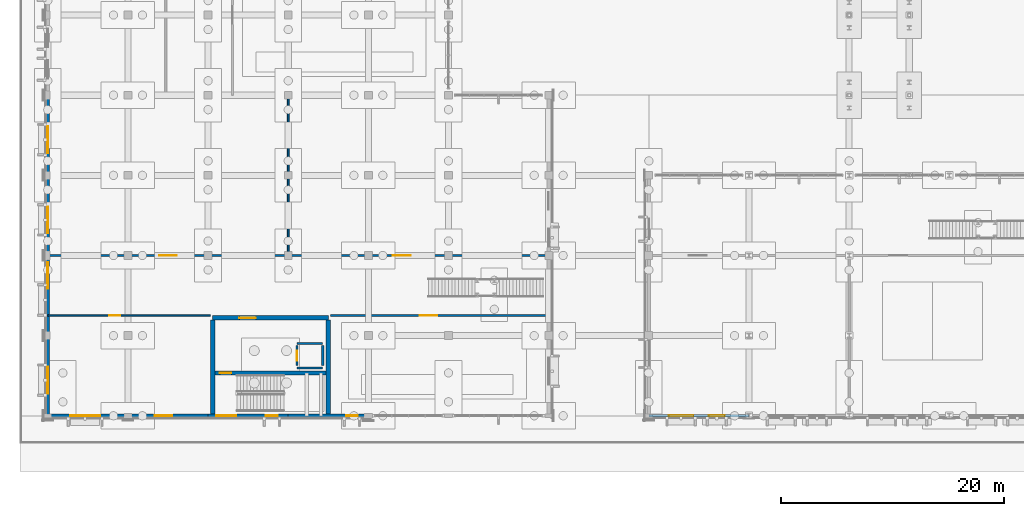
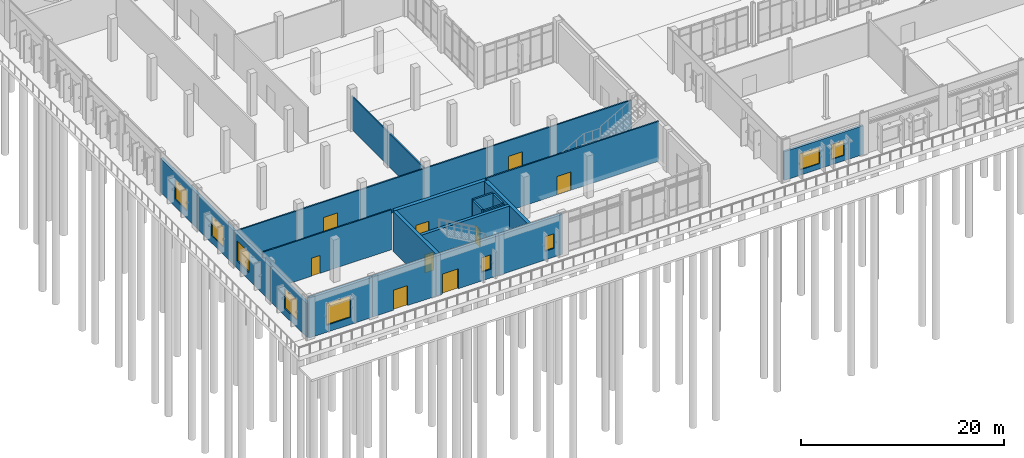
# One storey, part 61 of 94: 21 walls, 9 doors, 9 windows, 18 openings.
"""IFC4 building model written with IfcOpenShell, lengths in metres."""

from ifc_helpers import new_model, si_unit, direction, frame, frame_2d, origin, origin_with_axes, place, context, subcontext, project, spatial, rectangle, extrude, material, layer, layer_set, type_object, element, fill, save


model = new_model("IFC4")

# Units and contexts
model_context = context("Model", 3, precision=1e-05, world=origin(), true_north=direction((0.0, 1.0)))
body_context = subcontext(model_context, "Body", "Model", "MODEL_VIEW")
ifc_project = project(units=[si_unit("LENGTHUNIT", "METRE"), si_unit("AREAUNIT", "SQUARE_METRE"), si_unit("VOLUMEUNIT", "CUBIC_METRE"), si_unit("PLANEANGLEUNIT", "RADIAN"), si_unit("MASSUNIT", "GRAM", prefix="KILO")], contexts=[model_context])

# Site, building, storey
site_placement = place(None, origin())
site = spatial("IfcSite", under=ifc_project, at=site_placement, CompositionType="ELEMENT")
building_placement = place(site_placement, origin())
building = spatial("IfcBuilding", under=site, at=building_placement, Name="Vervanel Yard Central Library", CompositionType="ELEMENT")
storey_placement = place(building_placement, origin())
storey = spatial("IfcBuildingStorey", under=building, at=storey_placement, Name="L00", CompositionType="ELEMENT", Elevation=0.0)

# Wall, opening, door
ifc_material_1 = material(Name="Fire-rated gypsum board on steel studs", Category="steel")
ifc_layer_1 = layer(ifc_material_1, 0.159912109375, Category="steel")
ifc_layer_set_1 = layer_set([ifc_layer_1], Name="Fire-rated gypsum board on steel studs")
wall_type_1 = type_object("IfcWallType", Name="Acoustic Glazed Partition 160", PredefinedType="PARTITIONING", material=ifc_layer_set_1)
wall_1_placement = place(storey_placement, frame((25.39990234375, 9.0, 0.0), z_axis=(0.0, 0.0, 1.0), x_axis=(1.0, 0.0, 0.0)))
wall_1 = element("IfcWall", 1, at=wall_1_placement, inside=storey, type_object=wall_type_1, Name="L00 Acoustic Glazed Partition 160 IPART-L00-0041", PredefinedType="PARTITIONING", context=body_context, shape_type="SweptSolid", body=[
    extrude(rectangle(XDim=19.60009765625, YDim=0.159912109375, at=frame_2d((9.800048828125, 0.0))), origin(), (0.0, 0.0, 1.0), 4.800048828125),
])
opening_1_placement = place(wall_1_placement, frame((8.0, 0.0, 0.0)))
opening_1 = element("IfcOpeningElement", 2, at=opening_1_placement, cuts=wall_1, Name="Opening DR-04", PredefinedType="OPENING", context=body_context, shape_type="SweptSolid", body=[
    extrude(rectangle(XDim=1.60009765625, YDim=2.199951171875, at=frame_2d((0.800048828125, 1.10009765625))), frame((0.0, 0.08984375, 0.0), z_axis=(0.0, -1.0, 0.0), x_axis=(1.0, 0.0, 0.0)), (0.0, 0.0, 1.0), 0.179931640625),
])
ifc_material_2 = material(Name="Solid white oak acoustic joinery", Category="wood")
door_type_1 = type_object("IfcDoorType", Name="Interior Double Reading Door 1600x2200", OperationType="NOTDEFINED", PredefinedType="DOOR", material=ifc_material_2)
door_1_placement = place(opening_1_placement, origin())
door_1 = element("IfcDoor", 3, at=door_1_placement, inside=storey, type_object=door_type_1, Name="L00 Interior Double Reading Door 1600x2200 IDOOR-L00-0032", OperationType="DOUBLE_DOOR_SINGLE_SWING", OverallHeight=2.199951171875, OverallWidth=1.60009765625, PredefinedType="DOOR", context=body_context, shape_type="SweptSolid", body=[
    extrude(rectangle(XDim=1.60009765625, YDim=2.199951171875, at=frame_2d((0.800048828125, 1.10009765625))), frame((0.0, 0.02490234375, 0.0), z_axis=(0.0, -1.0, 0.0), x_axis=(1.0, 0.0, 0.0)), (0.0, 0.0, 1.0), 0.050048828125),
])
fill(opening_1, door_1)

# Wall, openings, doors
wall_2_placement = place(storey_placement, frame((0.0, 14.39990234375, 0.0), z_axis=(0.0, 0.0, 1.0), x_axis=(1.0, 0.0, 0.0)))
wall_2 = element("IfcWall", 4, at=wall_2_placement, inside=storey, type_object=wall_type_1, Name="L00 Acoustic Glazed Partition 160 IPART-L00-0043", PredefinedType="PARTITIONING", context=body_context, shape_type="SweptSolid", body=[
    extrude(rectangle(XDim=45.0, YDim=0.159912109375, at=frame_2d((22.5, 0.0))), origin(), (0.0, 0.0, 1.0), 4.06494140625),
])
opening_2_placement = place(wall_2_placement, frame((10.0, 0.0, 0.0)))
opening_2 = element("IfcOpeningElement", 5, at=opening_2_placement, cuts=wall_2, Name="Opening DR-04", PredefinedType="OPENING", context=body_context, shape_type="SweptSolid", body=[
    extrude(rectangle(XDim=1.60009765625, YDim=2.199951171875, at=frame_2d((0.800048828125, 1.10009765625))), frame((0.0, 0.08984375, 0.0), z_axis=(0.0, -1.0, 0.0), x_axis=(1.0, 0.0, 0.0)), (0.0, 0.0, 1.0), 0.179931640625),
])
opening_3_placement = place(wall_2_placement, frame((31.0, 0.0, 0.0)))
opening_3 = element("IfcOpeningElement", 6, at=opening_3_placement, cuts=wall_2, Name="Opening DR-04", PredefinedType="OPENING", context=body_context, shape_type="SweptSolid", body=[
    extrude(rectangle(XDim=1.60009765625, YDim=2.199951171875, at=frame_2d((0.800048828125, 1.10009765625))), frame((0.0, 0.08984375, 0.0), z_axis=(0.0, -1.0, 0.0), x_axis=(1.0, 0.0, 0.0)), (0.0, 0.0, 1.0), 0.179931640625),
])
door_2_placement = place(opening_2_placement, origin())
door_2 = element("IfcDoor", 7, at=door_2_placement, inside=storey, type_object=door_type_1, Name="L00 Interior Double Reading Door 1600x2200 IDOOR-L00-0034", OperationType="DOUBLE_DOOR_SINGLE_SWING", OverallHeight=2.199951171875, OverallWidth=1.60009765625, PredefinedType="DOOR", context=body_context, shape_type="SweptSolid", body=[
    extrude(rectangle(XDim=1.60009765625, YDim=2.199951171875, at=frame_2d((0.800048828125, 1.10009765625))), frame((0.0, 0.02490234375, 0.0), z_axis=(0.0, -1.0, 0.0), x_axis=(1.0, 0.0, 0.0)), (0.0, 0.0, 1.0), 0.050048828125),
])
fill(opening_2, door_2)
door_3_placement = place(opening_3_placement, origin())
door_3 = element("IfcDoor", 8, at=door_3_placement, inside=storey, type_object=door_type_1, Name="L00 Interior Double Reading Door 1600x2200 IDOOR-L00-0035", OperationType="DOUBLE_DOOR_SINGLE_SWING", OverallHeight=2.199951171875, OverallWidth=1.60009765625, PredefinedType="DOOR", context=body_context, shape_type="SweptSolid", body=[
    extrude(rectangle(XDim=1.60009765625, YDim=2.199951171875, at=frame_2d((0.800048828125, 1.10009765625))), frame((0.0, 0.02490234375, 0.0), z_axis=(0.0, -1.0, 0.0), x_axis=(1.0, 0.0, 0.0)), (0.0, 0.0, 1.0), 0.050048828125),
])
fill(opening_3, door_3)

# Wall, opening, window
ifc_material_3 = material(Name="Precast concrete C45/55", Category="concrete")
ifc_layer_2 = layer(ifc_material_3, 0.300048828125, Category="concrete")
ifc_layer_set_2 = layer_set([ifc_layer_2], Name="Precast concrete C45/55")
wall_type_2 = type_object("IfcWallType", Name="Bush-Hammered Precast Cladding Wall 300", PredefinedType="SOLIDWALL", material=ifc_layer_set_2)
wall_3_placement = place(storey_placement, frame((0.0, 0.0, 0.0), z_axis=(0.0, 0.0, 1.0), x_axis=(0.0, 1.0, 0.0)))
wall_3 = element("IfcWall", 9, at=wall_3_placement, inside=storey, type_object=wall_type_2, Name="L00 Bush-Hammered Precast Cladding Wall 300 EWALL-L00-0217", PredefinedType="SOLIDWALL", context=body_context, shape_type="SweptSolid", body=[
    extrude(rectangle(XDim=7.199951171875, YDim=0.300048828125, at=frame_2d((3.60009765625, 0.0))), origin(), (0.0, 0.0, 1.0), 4.114990234375),
])
opening_4_placement = place(wall_3_placement, frame((2.0, 0.0, 0.89990234375)))
opening_4 = element("IfcOpeningElement", 10, at=opening_4_placement, cuts=wall_3, Name="Opening WN-09", PredefinedType="OPENING", context=body_context, shape_type="SweptSolid", body=[
    extrude(rectangle(XDim=2.39990234375, YDim=2.39990234375, at=frame_2d((1.199951171875, 1.199951171875))), frame((0.0, 0.159912109375, 0.0), z_axis=(0.0, -1.0, 0.0), x_axis=(1.0, 0.0, 0.0)), (0.0, 0.0, 1.0), 0.320068359375),
])
ifc_material_4 = material(Name="Double low-E laminated solar-control glass", Category="glass")
window_type_1 = type_object("IfcWindowType", Name="Maker Workshop Window 2400x2400", PartitioningType="SINGLE_PANEL", PredefinedType="WINDOW", material=ifc_material_4)
window_1_placement = place(opening_4_placement, origin())
window_1 = element("IfcWindow", 11, at=window_1_placement, inside=storey, type_object=window_type_1, Name="L00 Maker Workshop Window 2400x2400 280", OverallHeight=2.39990234375, OverallWidth=2.39990234375, PartitioningType="SINGLE_PANEL", PredefinedType="WINDOW", context=body_context, shape_type="SweptSolid", body=[
    extrude(rectangle(XDim=2.39990234375, YDim=2.39990234375, at=frame_2d((1.199951171875, 1.199951171875))), frame((0.0, 0.030029296875, 0.0), z_axis=(0.0, -1.0, 0.0), x_axis=(1.0, 0.0, 0.0)), (0.0, 0.0, 1.0), 0.06005859375),
])
fill(opening_4, window_1)

wall_4_placement = place(storey_placement, frame((0.0, 7.199951171875, 0.0), z_axis=(0.0, 0.0, 1.0), x_axis=(0.0, 1.0, 0.0)))
wall_4 = element("IfcWall", 12, at=wall_4_placement, inside=storey, type_object=wall_type_2, Name="L00 Bush-Hammered Precast Cladding Wall 300 EWALL-L00-0218", PredefinedType="SOLIDWALL", context=body_context, shape_type="SweptSolid", body=[
    extrude(rectangle(XDim=7.199951171875, YDim=0.300048828125, at=frame_2d((3.60009765625, 0.0))), origin(), (0.0, 0.0, 1.0), 4.114990234375),
])
opening_5_placement = place(wall_4_placement, frame((4.199951171875, 0.0, 0.89990234375)))
opening_5 = element("IfcOpeningElement", 13, at=opening_5_placement, cuts=wall_4, Name="Opening WN-09", PredefinedType="OPENING", context=body_context, shape_type="SweptSolid", body=[
    extrude(rectangle(XDim=2.39990234375, YDim=2.39990234375, at=frame_2d((1.199951171875, 1.199951171875))), frame((0.0, 0.159912109375, 0.0), z_axis=(0.0, -1.0, 0.0), x_axis=(1.0, 0.0, 0.0)), (0.0, 0.0, 1.0), 0.320068359375),
])
window_2_placement = place(opening_5_placement, origin())
window_2 = element("IfcWindow", 14, at=window_2_placement, inside=storey, type_object=window_type_1, Name="L00 Maker Workshop Window 2400x2400 281", OverallHeight=2.39990234375, OverallWidth=2.39990234375, PartitioningType="SINGLE_PANEL", PredefinedType="WINDOW", context=body_context, shape_type="SweptSolid", body=[
    extrude(rectangle(XDim=2.39990234375, YDim=2.39990234375, at=frame_2d((1.199951171875, 1.199951171875))), frame((0.0, 0.030029296875, 0.0), z_axis=(0.0, -1.0, 0.0), x_axis=(1.0, 0.0, 0.0)), (0.0, 0.0, 1.0), 0.06005859375),
])
fill(opening_5, window_2)

wall_5_placement = place(storey_placement, frame((0.0, 14.39990234375, 0.0), z_axis=(0.0, 0.0, 1.0), x_axis=(0.0, 1.0, 0.0)))
wall_5 = element("IfcWall", 15, at=wall_5_placement, inside=storey, type_object=wall_type_2, Name="L00 Bush-Hammered Precast Cladding Wall 300 EWALL-L00-0219", PredefinedType="SOLIDWALL", context=body_context, shape_type="SweptSolid", body=[
    extrude(rectangle(XDim=7.2001953125, YDim=0.300048828125, at=frame_2d((3.60009765625, 0.0))), origin(), (0.0, 0.0, 1.0), 4.114990234375),
])
opening_6_placement = place(wall_5_placement, frame((2.0, 0.0, 0.89990234375)))
opening_6 = element("IfcOpeningElement", 16, at=opening_6_placement, cuts=wall_5, Name="Opening WN-09", PredefinedType="OPENING", context=body_context, shape_type="SweptSolid", body=[
    extrude(rectangle(XDim=2.39990234375, YDim=2.39990234375, at=frame_2d((1.199951171875, 1.199951171875))), frame((0.0, 0.159912109375, 0.0), z_axis=(0.0, -1.0, 0.0), x_axis=(1.0, 0.0, 0.0)), (0.0, 0.0, 1.0), 0.320068359375),
])
window_3_placement = place(opening_6_placement, origin())
window_3 = element("IfcWindow", 17, at=window_3_placement, inside=storey, type_object=window_type_1, Name="L00 Maker Workshop Window 2400x2400 282", OverallHeight=2.39990234375, OverallWidth=2.39990234375, PartitioningType="SINGLE_PANEL", PredefinedType="WINDOW", context=body_context, shape_type="SweptSolid", body=[
    extrude(rectangle(XDim=2.39990234375, YDim=2.39990234375, at=frame_2d((1.199951171875, 1.199951171875))), frame((0.0, 0.030029296875, 0.0), z_axis=(0.0, -1.0, 0.0), x_axis=(1.0, 0.0, 0.0)), (0.0, 0.0, 1.0), 0.06005859375),
])
fill(opening_6, window_3)

wall_6_placement = place(storey_placement, frame((0.0, 21.60009765625, 0.0), z_axis=(0.0, 0.0, 1.0), x_axis=(0.0, 1.0, 0.0)))
wall_6 = element("IfcWall", 18, at=wall_6_placement, inside=storey, type_object=wall_type_2, Name="L00 Bush-Hammered Precast Cladding Wall 300 EWALL-L00-0220", PredefinedType="SOLIDWALL", context=body_context, shape_type="SweptSolid", body=[
    extrude(rectangle(XDim=7.199951171875, YDim=0.300048828125, at=frame_2d((3.60009765625, 0.0))), origin(), (0.0, 0.0, 1.0), 4.114990234375),
])
opening_7_placement = place(wall_6_placement, frame((2.0, 0.0, 0.89990234375)))
opening_7 = element("IfcOpeningElement", 19, at=opening_7_placement, cuts=wall_6, Name="Opening WN-09", PredefinedType="OPENING", context=body_context, shape_type="SweptSolid", body=[
    extrude(rectangle(XDim=2.39990234375, YDim=2.39990234375, at=frame_2d((1.199951171875, 1.199951171875))), frame((0.0, 0.159912109375, 0.0), z_axis=(0.0, -1.0, 0.0), x_axis=(1.0, 0.0, 0.0)), (0.0, 0.0, 1.0), 0.320068359375),
])
window_4_placement = place(opening_7_placement, origin())
window_4 = element("IfcWindow", 20, at=window_4_placement, inside=storey, type_object=window_type_1, Name="L00 Maker Workshop Window 2400x2400 283", OverallHeight=2.39990234375, OverallWidth=2.39990234375, PartitioningType="SINGLE_PANEL", PredefinedType="WINDOW", context=body_context, shape_type="SweptSolid", body=[
    extrude(rectangle(XDim=2.39990234375, YDim=2.39990234375, at=frame_2d((1.199951171875, 1.199951171875))), frame((0.0, 0.030029296875, 0.0), z_axis=(0.0, -1.0, 0.0), x_axis=(1.0, 0.0, 0.0)), (0.0, 0.0, 1.0), 0.06005859375),
])
fill(opening_7, window_4)

# Wall, openings, windows
ifc_material_5 = material(Name="Concrete C40/50", Category="concrete")
ifc_layer_3 = layer(ifc_material_5, 0.260009765625, Category="concrete")
ifc_layer_set_3 = layer_set([ifc_layer_3], Name="Concrete C40/50")
wall_type_3 = type_object("IfcWallType", Name="Children's Pavilion Concrete Wall 260", PredefinedType="SOLIDWALL", material=ifc_layer_set_3)
wall_7_placement = place(storey_placement, frame((54.0, 0.0, 0.0), z_axis=(0.0, 0.0, 1.0), x_axis=(1.0, 0.0, 0.0)))
wall_7 = element("IfcWall", 21, at=wall_7_placement, inside=storey, type_object=wall_type_3, Name="L00 Children's Pavilion Concrete Wall 260 EWALL-L00-0192", PredefinedType="SOLIDWALL", context=body_context, shape_type="SweptSolid", body=[
    extrude(rectangle(XDim=9.0, YDim=0.260009765625, at=frame_2d((4.5, 0.0))), origin(), (0.0, 0.0, 1.0), 3.449951171875),
])
opening_8_placement = place(wall_7_placement, frame((1.800048828125, 0.0, 0.64990234375)))
opening_8 = element("IfcOpeningElement", 22, at=opening_8_placement, cuts=wall_7, Name="Opening WN-11", PredefinedType="OPENING", context=body_context, shape_type="SweptSolid", body=[
    extrude(rectangle(XDim=2.199951171875, YDim=1.949951171875, at=frame_2d((1.10009765625, 0.97509765625))), frame((0.0, 0.139892578125, 0.0), z_axis=(0.0, -1.0, 0.0), x_axis=(1.0, 0.0, 0.0)), (0.0, 0.0, 1.0), 0.280029296875),
])
opening_9_placement = place(wall_7_placement, frame((5.39990234375, 0.0, 0.64990234375)))
opening_9 = element("IfcOpeningElement", 23, at=opening_9_placement, cuts=wall_7, Name="Opening WN-12", PredefinedType="OPENING", context=body_context, shape_type="SweptSolid", body=[
    extrude(rectangle(XDim=1.39990234375, YDim=1.800048828125, at=frame_2d((0.699951171875, 0.89990234375))), frame((0.0, 0.139892578125, 0.0), z_axis=(0.0, -1.0, 0.0), x_axis=(1.0, 0.0, 0.0)), (0.0, 0.0, 1.0), 0.280029296875),
])
window_type_2 = type_object("IfcWindowType", Name="Children's Discovery Picture Window 2200x1950", PartitioningType="SINGLE_PANEL", PredefinedType="WINDOW", material=ifc_material_4)
window_5_placement = place(opening_8_placement, origin())
window_5 = element("IfcWindow", 24, at=window_5_placement, inside=storey, type_object=window_type_2, Name="L00 Children's Discovery Picture Window 2200x1950 244", OverallHeight=1.949951171875, OverallWidth=2.199951171875, PartitioningType="SINGLE_PANEL", PredefinedType="WINDOW", context=body_context, shape_type="SweptSolid", body=[
    extrude(rectangle(XDim=2.199951171875, YDim=1.949951171875, at=frame_2d((1.10009765625, 0.97509765625))), frame((0.0, 0.030029296875, 0.0), z_axis=(0.0, -1.0, 0.0), x_axis=(1.0, 0.0, 0.0)), (0.0, 0.0, 1.0), 0.06005859375),
])
fill(opening_8, window_5)
window_type_3 = type_object("IfcWindowType", Name="Children's Low Sill Window 1400x1800", PartitioningType="SINGLE_PANEL", PredefinedType="WINDOW", material=ifc_material_4)
window_6_placement = place(opening_9_placement, origin())
window_6 = element("IfcWindow", 25, at=window_6_placement, inside=storey, type_object=window_type_3, Name="L00 Children's Low Sill Window 1400x1800 245", OverallHeight=1.800048828125, OverallWidth=1.39990234375, PartitioningType="SINGLE_PANEL", PredefinedType="WINDOW", context=body_context, shape_type="SweptSolid", body=[
    extrude(rectangle(XDim=1.39990234375, YDim=1.800048828125, at=frame_2d((0.699951171875, 0.89990234375))), frame((0.0, 0.030029296875, 0.0), z_axis=(0.0, -1.0, 0.0), x_axis=(1.0, 0.0, 0.0)), (0.0, 0.0, 1.0), 0.06005859375),
])
fill(opening_9, window_6)

# Wall, opening, door
ifc_material_6 = material(Name="Concrete C45/55", Category="concrete")
ifc_layer_4 = layer(ifc_material_6, 0.39990234375, Category="concrete")
ifc_layer_set_4 = layer_set([ifc_layer_4], Name="Concrete C45/55")
wall_type_4 = type_object("IfcWallType", Name="Core Primary Shear Wall 400", PredefinedType="SHEAR", material=ifc_layer_set_4)
wall_8_placement = place(storey_placement, frame((14.800048828125, 8.800048828125, 0.0), z_axis=(0.0, 0.0, 1.0), x_axis=(1.0, 0.0, 0.0)))
wall_8 = element("IfcWall", 26, at=wall_8_placement, inside=storey, type_object=wall_type_4, Name="L00 CORE-D Shear Wall N", PredefinedType="SHEAR", context=body_context, shape_type="SweptSolid", body=[
    extrude(rectangle(XDim=10.39990234375, YDim=0.39990234375, at=frame_2d((5.199951171875, 0.0))), origin(), (0.0, 0.0, 1.0), 4.800048828125),
])
opening_10_placement = place(wall_8_placement, frame((2.39990234375, 0.0, 0.0)))
opening_10 = element("IfcOpeningElement", 27, at=opening_10_placement, cuts=wall_8, Name="Opening DR-F02", PredefinedType="OPENING", context=body_context, shape_type="SweptSolid", body=[
    extrude(rectangle(XDim=1.5, YDim=2.199951171875, at=frame_2d((0.75, 1.10009765625))), frame((0.0, 0.2099609375, 0.0), z_axis=(0.0, -1.0, 0.0), x_axis=(1.0, 0.0, 0.0)), (0.0, 0.0, 1.0), 0.419921875),
])
ifc_material_7 = material(Name="Galvanized painted steelwork ASTM A500 Grade C", Category="steel")
door_type_2 = type_object("IfcDoorType", Name="Fire-Rated Lobby Door 1500x2200", OperationType="NOTDEFINED", PredefinedType="DOOR", material=ifc_material_7)
door_4_placement = place(opening_10_placement, origin())
door_4 = element("IfcDoor", 28, at=door_4_placement, inside=storey, type_object=door_type_2, Name="L00 CORE-D Lobby Fire Door", OperationType="DOUBLE_DOOR_SINGLE_SWING", OverallHeight=2.199951171875, OverallWidth=1.5, PredefinedType="DOOR", context=body_context, shape_type="SweptSolid", body=[
    extrude(rectangle(XDim=1.5, YDim=2.199951171875, at=frame_2d((0.75, 1.10009765625))), frame((0.0, 0.02490234375, 0.0), z_axis=(0.0, -1.0, 0.0), x_axis=(1.0, 0.0, 0.0)), (0.0, 0.0, 1.0), 0.050048828125),
])
fill(opening_10, door_4)

# Walls
for number, where, z_axis, x_axis, name in (
    (29, (14.800048828125, 0.169921875, 0.0), (0.0, 0.0, 1.0), (0.0, 1.0, 0.0), "L00 CORE-D Shear Wall W"),
    (30, (25.199951171875, 0.169921875, 0.0), (0.0, 0.0, 1.0), (0.0, 1.0, 0.0), "L00 CORE-D Shear Wall E"),
):
    element("IfcWall", number, at=place(storey_placement, frame(where, z_axis=z_axis, x_axis=x_axis)), inside=storey, type_object=wall_type_4, Name=name, PredefinedType="SHEAR", context=body_context, shape_type="SweptSolid", body=[
        extrude(rectangle(XDim=8.43017578125, YDim=0.39990234375, at=frame_2d((4.215087890625, 0.0))), origin(), (0.0, 0.0, 1.0), 4.800048828125),
    ])

# Wall, opening, door
ifc_layer_5 = layer(ifc_material_6, 0.35009765625, Category="concrete")
ifc_layer_set_5 = layer_set([ifc_layer_5], Name="Concrete C45/55")
wall_type_5 = type_object("IfcWallType", Name="Core Secondary Shear Wall 350", PredefinedType="SHEAR", material=ifc_layer_set_5)
wall_9_placement = place(storey_placement, frame((15.0, 3.8349609375, 0.0), z_axis=(0.0, 0.0, 1.0), x_axis=(1.0, 0.0, 0.0)))
wall_9 = element("IfcWall", 31, at=wall_9_placement, inside=storey, type_object=wall_type_5, Name="L00 CORE-D Stair Shaft Wall", PredefinedType="SHEAR", context=body_context, shape_type="SweptSolid", body=[
    extrude(rectangle(XDim=10.0, YDim=0.35009765625, at=frame_2d((5.0, 0.0))), origin(), (0.0, 0.0, 1.0), 4.800048828125),
])
opening_11_placement = place(wall_9_placement, frame((0.449951171875, 0.0, 0.0)))
opening_11 = element("IfcOpeningElement", 32, at=opening_11_placement, cuts=wall_9, Name="Opening DR-F01", PredefinedType="OPENING", context=body_context, shape_type="SweptSolid", body=[
    extrude(rectangle(XDim=1.050048828125, YDim=2.199951171875, at=frame_2d((0.52490234375, 1.10009765625))), frame((0.0, 0.18505859375, 0.0), z_axis=(0.0, -1.0, 0.0), x_axis=(1.0, 0.0, 0.0)), (0.0, 0.0, 1.0), 0.3701171875),
])
door_type_3 = type_object("IfcDoorType", Name="Fire-Rated Stair Exit Door 1050x2200", OperationType="NOTDEFINED", PredefinedType="DOOR", material=ifc_material_7)
door_5_placement = place(opening_11_placement, origin())
door_5 = element("IfcDoor", 33, at=door_5_placement, inside=storey, type_object=door_type_3, Name="L00 CORE-D Stair Door", OperationType="SINGLE_SWING_LEFT", OverallHeight=2.199951171875, OverallWidth=1.050048828125, PredefinedType="DOOR", context=body_context, shape_type="SweptSolid", body=[
    extrude(rectangle(XDim=1.050048828125, YDim=2.199951171875, at=frame_2d((0.52490234375, 1.10009765625))), frame((0.0, 0.02490234375, 0.0), z_axis=(0.0, -1.0, 0.0), x_axis=(1.0, 0.0, 0.0)), (0.0, 0.0, 1.0), 0.050048828125),
])
fill(opening_11, door_5)

# Wall, opening, window
ifc_layer_6 = layer(ifc_material_6, 0.340087890625, Category="concrete")
ifc_layer_set_6 = layer_set([ifc_layer_6], Name="Concrete C45/55")
wall_type_6 = type_object("IfcWallType", Name="Exterior Bearing Concrete Frame Wall 340", PredefinedType="SOLIDWALL", material=ifc_layer_set_6)
wall_10_placement = place(storey_placement, origin_with_axes())
wall_10 = element("IfcWall", 34, at=wall_10_placement, inside=storey, type_object=wall_type_6, Name="L00 Exterior Bearing Concrete Frame Wall 340 EWALL-L00-0213", PredefinedType="SOLIDWALL", context=body_context, shape_type="SweptSolid", body=[
    extrude(rectangle(XDim=7.199951171875, YDim=0.340087890625, at=frame_2d((3.60009765625, 0.0))), origin(), (0.0, 0.0, 1.0), 4.800048828125),
])
opening_12_placement = place(wall_10_placement, frame((2.0, 0.0, 0.85009765625)))
opening_12 = element("IfcOpeningElement", 35, at=opening_12_placement, cuts=wall_10, Name="Opening WN-10", PredefinedType="OPENING", context=body_context, shape_type="SweptSolid", body=[
    extrude(rectangle(XDim=2.699951171875, YDim=2.60009765625, at=frame_2d((1.35009765625, 1.300048828125))), frame((0.0, 0.179931640625, 0.0), z_axis=(0.0, -1.0, 0.0), x_axis=(1.0, 0.0, 0.0)), (0.0, 0.0, 1.0), 0.360107421875),
])
window_type_4 = type_object("IfcWindowType", Name="Cafe Boulevard Window 2700x2600", PartitioningType="SINGLE_PANEL", PredefinedType="WINDOW", material=ifc_material_4)
window_7_placement = place(opening_12_placement, origin())
window_7 = element("IfcWindow", 36, at=window_7_placement, inside=storey, type_object=window_type_4, Name="L00 Cafe Boulevard Window 2700x2600 277", OverallHeight=2.60009765625, OverallWidth=2.699951171875, PartitioningType="SINGLE_PANEL", PredefinedType="WINDOW", context=body_context, shape_type="SweptSolid", body=[
    extrude(rectangle(XDim=2.699951171875, YDim=2.60009765625, at=frame_2d((1.35009765625, 1.300048828125))), frame((0.0, 0.030029296875, 0.0), z_axis=(0.0, -1.0, 0.0), x_axis=(1.0, 0.0, 0.0)), (0.0, 0.0, 1.0), 0.06005859375),
])
fill(opening_12, window_7)

# Wall, opening, door
wall_11_placement = place(storey_placement, frame((7.199951171875, 0.0, 0.0), z_axis=(0.0, 0.0, 1.0), x_axis=(1.0, 0.0, 0.0)))
wall_11 = element("IfcWall", 37, at=wall_11_placement, inside=storey, type_object=wall_type_6, Name="L00 Exterior Bearing Concrete Frame Wall 340 EWALL-L00-0214", PredefinedType="SOLIDWALL", context=body_context, shape_type="SweptSolid", body=[
    extrude(rectangle(XDim=7.199951171875, YDim=0.340087890625, at=frame_2d((3.60009765625, 0.0))), origin(), (0.0, 0.0, 1.0), 4.800048828125),
])
opening_13_placement = place(wall_11_placement, frame((2.39990234375, 0.0, 0.0)))
opening_13 = element("IfcOpeningElement", 38, at=opening_13_placement, cuts=wall_11, Name="Opening DR-E03", PredefinedType="OPENING", context=body_context, shape_type="SweptSolid", body=[
    extrude(rectangle(XDim=1.60009765625, YDim=2.39990234375, at=frame_2d((0.800048828125, 1.199951171875))), frame((0.0, 0.179931640625, 0.0), z_axis=(0.0, -1.0, 0.0), x_axis=(1.0, 0.0, 0.0)), (0.0, 0.0, 1.0), 0.360107421875),
])
ifc_material_8 = material(Name="Thermally broken anodized aluminium 6063-T6", Category="aluminium")
door_type_4 = type_object("IfcDoorType", Name="Courtyard Glazed Double Door 1600x2400", OperationType="NOTDEFINED", PredefinedType="DOOR", material=ifc_material_8)
door_6_placement = place(opening_13_placement, frame((1.60009765625, 0.0, 0.0), z_axis=(0.0, 0.0, 1.0), x_axis=(-1.0, 0.0, 0.0)))
door_6 = element("IfcDoor", 39, at=door_6_placement, inside=storey, type_object=door_type_4, Name="L00 Courtyard Glazed Double Door 1600x2400 22", OperationType="DOUBLE_DOOR_SINGLE_SWING", OverallHeight=2.39990234375, OverallWidth=1.60009765625, PredefinedType="DOOR", context=body_context, shape_type="SweptSolid", body=[
    extrude(rectangle(XDim=1.60009765625, YDim=2.39990234375, at=frame_2d((0.800048828125, 1.199951171875))), frame((0.0, 0.02490234375, 0.0), z_axis=(0.0, -1.0, 0.0), x_axis=(1.0, 0.0, 0.0)), (0.0, 0.0, 1.0), 0.050048828125),
])
fill(opening_13, door_6)

# Wall, openings, door, window
wall_12_placement = place(storey_placement, frame((14.39990234375, 0.0, 0.0), z_axis=(0.0, 0.0, 1.0), x_axis=(1.0, 0.0, 0.0)))
wall_12 = element("IfcWall", 40, at=wall_12_placement, inside=storey, type_object=wall_type_6, Name="L00 Exterior Bearing Concrete Frame Wall 340 EWALL-L00-0215", PredefinedType="SOLIDWALL", context=body_context, shape_type="SweptSolid", body=[
    extrude(rectangle(XDim=7.2001953125, YDim=0.340087890625, at=frame_2d((3.60009765625, 0.0))), origin(), (0.0, 0.0, 1.0), 4.800048828125),
])
opening_14_placement = place(wall_12_placement, frame((0.75, 0.0, 0.0)))
opening_14 = element("IfcOpeningElement", 41, at=opening_14_placement, cuts=wall_12, Name="Opening DR-E02", PredefinedType="OPENING", context=body_context, shape_type="SweptSolid", body=[
    extrude(rectangle(XDim=1.800048828125, YDim=2.39990234375, at=frame_2d((0.89990234375, 1.199951171875))), frame((0.0, 0.179931640625, 0.0), z_axis=(0.0, -1.0, 0.0), x_axis=(1.0, 0.0, 0.0)), (0.0, 0.0, 1.0), 0.360107421875),
])
opening_15_placement = place(wall_12_placement, frame((5.199951171875, 0.0, 1.050048828125)))
opening_15 = element("IfcOpeningElement", 42, at=opening_15_placement, cuts=wall_12, Name="Opening WN-16", PredefinedType="OPENING", context=body_context, shape_type="SweptSolid", body=[
    extrude(rectangle(XDim=1.050048828125, YDim=1.75, at=frame_2d((0.52490234375, 0.875))), frame((0.0, 0.179931640625, 0.0), z_axis=(0.0, -1.0, 0.0), x_axis=(1.0, 0.0, 0.0)), (0.0, 0.0, 1.0), 0.360107421875),
])
ifc_material_9 = material(Name="Galvanized hollow steel door assembly", Category="steel")
door_type_5 = type_object("IfcDoorType", Name="Double Pedestrian Exit Door 1800x2400", OperationType="NOTDEFINED", PredefinedType="DOOR", material=ifc_material_9)
door_7_placement = place(opening_14_placement, frame((1.800048828125, 0.0, 0.0), z_axis=(0.0, 0.0, 1.0), x_axis=(-1.0, 0.0, 0.0)))
door_7 = element("IfcDoor", 43, at=door_7_placement, inside=storey, type_object=door_type_5, Name="L00 Double Pedestrian Exit Door 1800x2400 23", OperationType="DOUBLE_DOOR_SINGLE_SWING", OverallHeight=2.39990234375, OverallWidth=1.800048828125, PredefinedType="DOOR", context=body_context, shape_type="SweptSolid", body=[
    extrude(rectangle(XDim=1.800048828125, YDim=2.39990234375, at=frame_2d((0.89990234375, 1.199951171875))), frame((0.0, 0.02490234375, 0.0), z_axis=(0.0, -1.0, 0.0), x_axis=(1.0, 0.0, 0.0)), (0.0, 0.0, 1.0), 0.050048828125),
])
fill(opening_14, door_7)
window_type_5 = type_object("IfcWindowType", Name="Study Carrel Punch Window 1050x1750", PartitioningType="SINGLE_PANEL", PredefinedType="WINDOW", material=ifc_material_4)
window_8_placement = place(opening_15_placement, origin())
window_8 = element("IfcWindow", 44, at=window_8_placement, inside=storey, type_object=window_type_5, Name="L00 Study Carrel Punch Window 1050x1750 278", OverallHeight=1.75, OverallWidth=1.050048828125, PartitioningType="SINGLE_PANEL", PredefinedType="WINDOW", context=body_context, shape_type="SweptSolid", body=[
    extrude(rectangle(XDim=1.050048828125, YDim=1.75, at=frame_2d((0.52490234375, 0.875))), frame((0.0, 0.030029296875, 0.0), z_axis=(0.0, -1.0, 0.0), x_axis=(1.0, 0.0, 0.0)), (0.0, 0.0, 1.0), 0.06005859375),
])
fill(opening_15, window_8)

# Wall, opening, window
wall_13_placement = place(storey_placement, frame((21.60009765625, 0.0, 0.0), z_axis=(0.0, 0.0, 1.0), x_axis=(1.0, 0.0, 0.0)))
wall_13 = element("IfcWall", 45, at=wall_13_placement, inside=storey, type_object=wall_type_6, Name="L00 Exterior Bearing Concrete Frame Wall 340 EWALL-L00-0216", PredefinedType="SOLIDWALL", context=body_context, shape_type="SweptSolid", body=[
    extrude(rectangle(XDim=7.199951171875, YDim=0.340087890625, at=frame_2d((3.60009765625, 0.0))), origin(), (0.0, 0.0, 1.0), 4.800048828125),
])
opening_16_placement = place(wall_13_placement, frame((5.199951171875, 0.0, 1.050048828125)))
opening_16 = element("IfcOpeningElement", 46, at=opening_16_placement, cuts=wall_13, Name="Opening WN-16", PredefinedType="OPENING", context=body_context, shape_type="SweptSolid", body=[
    extrude(rectangle(XDim=1.050048828125, YDim=1.75, at=frame_2d((0.52490234375, 0.875))), frame((0.0, 0.179931640625, 0.0), z_axis=(0.0, -1.0, 0.0), x_axis=(1.0, 0.0, 0.0)), (0.0, 0.0, 1.0), 0.360107421875),
])
window_9_placement = place(opening_16_placement, origin())
window_9 = element("IfcWindow", 47, at=window_9_placement, inside=storey, type_object=window_type_5, Name="L00 Study Carrel Punch Window 1050x1750 279", OverallHeight=1.75, OverallWidth=1.050048828125, PartitioningType="SINGLE_PANEL", PredefinedType="WINDOW", context=body_context, shape_type="SweptSolid", body=[
    extrude(rectangle(XDim=1.050048828125, YDim=1.75, at=frame_2d((0.52490234375, 0.875))), frame((0.0, 0.030029296875, 0.0), z_axis=(0.0, -1.0, 0.0), x_axis=(1.0, 0.0, 0.0)), (0.0, 0.0, 1.0), 0.06005859375),
])
fill(opening_16, window_9)

# Wall, opening, door
ifc_layer_7 = layer(ifc_material_1, 0.14990234375, Category="steel")
ifc_layer_set_7 = layer_set([ifc_layer_7], Name="Fire-rated gypsum board on steel studs")
wall_type_7 = type_object("IfcWallType", Name="Interior Partition 150", PredefinedType="PARTITIONING", material=ifc_layer_set_7)
wall_14_placement = place(storey_placement, frame((0.0, 9.0, 0.0), z_axis=(0.0, 0.0, 1.0), x_axis=(1.0, 0.0, 0.0)))
wall_14 = element("IfcWall", 48, at=wall_14_placement, inside=storey, type_object=wall_type_7, Name="L00 Interior Partition 150 IPART-L00-0042", PredefinedType="PARTITIONING", context=body_context, shape_type="SweptSolid", body=[
    extrude(rectangle(XDim=14.60009765625, YDim=0.14990234375, at=frame_2d((7.300048828125, 0.0))), origin(), (0.0, 0.0, 1.0), 4.800048828125),
])
opening_17_placement = place(wall_14_placement, frame((5.5, 0.0, 0.0)))
opening_17 = element("IfcOpeningElement", 49, at=opening_17_placement, cuts=wall_14, Name="Opening DR-01", PredefinedType="OPENING", context=body_context, shape_type="SweptSolid", body=[
    extrude(rectangle(XDim=1.0, YDim=2.14990234375, at=frame_2d((0.5, 1.074951171875))), frame((0.0, 0.0849609375, 0.0), z_axis=(0.0, -1.0, 0.0), x_axis=(1.0, 0.0, 0.0)), (0.0, 0.0, 1.0), 0.169921875),
])
door_type_6 = type_object("IfcDoorType", Name="Interior Single Door 1000x2150", OperationType="NOTDEFINED", PredefinedType="DOOR", material=ifc_material_2)
door_8_placement = place(opening_17_placement, origin())
door_8 = element("IfcDoor", 50, at=door_8_placement, inside=storey, type_object=door_type_6, Name="L00 Interior Single Door 1000x2150 IDOOR-L00-0033", OperationType="SINGLE_SWING_RIGHT", OverallHeight=2.14990234375, OverallWidth=1.0, PredefinedType="DOOR", context=body_context, shape_type="SweptSolid", body=[
    extrude(rectangle(XDim=1.0, YDim=2.14990234375, at=frame_2d((0.5, 1.074951171875))), frame((0.0, 0.02490234375, 0.0), z_axis=(0.0, -1.0, 0.0), x_axis=(1.0, 0.0, 0.0)), (0.0, 0.0, 1.0), 0.050048828125),
])
fill(opening_17, door_8)

# Walls
wall_15_placement = place(storey_placement, frame((21.60009765625, 14.39990234375, 0.0), z_axis=(0.0, 0.0, 1.0), x_axis=(0.0, 1.0, 0.0)))
element("IfcWall", 51, at=wall_15_placement, inside=storey, type_object=wall_type_7, Name="L00 Interior Partition 150 IPART-L00-0044", PredefinedType="PARTITIONING", context=body_context, shape_type="SweptSolid", body=[
    extrude(rectangle(XDim=14.400146484375, YDim=0.14990234375, at=frame_2d((7.2001953125, 0.0))), origin(), (0.0, 0.0, 1.0), 4.014892578125),
])
ifc_layer_8 = layer(ifc_material_5, 0.199951171875, Category="concrete")
ifc_layer_set_8 = layer_set([ifc_layer_8], Name="Concrete C40/50")
wall_type_8 = type_object("IfcWallType", Name="Shaft & Plant Rated Wall 200", PredefinedType="PARTITIONING", material=ifc_layer_set_8)
for number, where, z_axis, x_axis, name in (
    (52, (22.39990234375, 4.300048828125, 0.0), (0.0, 0.0, 1.0), (1.0, 0.0, 0.0), "L00 CORE-D-L00-RIS Shaft Wall S"),
    (53, (22.39990234375, 6.5, 0.0), (0.0, 0.0, 1.0), (1.0, 0.0, 0.0), "L00 CORE-D-L00-RIS Shaft Wall N"),
):
    element("IfcWall", number, at=place(storey_placement, frame(where, z_axis=z_axis, x_axis=x_axis)), inside=storey, type_object=wall_type_8, Name=name, PredefinedType="PARTITIONING", context=body_context, shape_type="SweptSolid", body=[
        extrude(rectangle(XDim=2.300048828125, YDim=0.199951171875, at=frame_2d((1.14990234375, 0.0))), origin(), (0.0, 0.0, 1.0), 4.800048828125),
    ])

# Wall, opening, door
wall_16_placement = place(storey_placement, frame((22.39990234375, 4.5, 0.0), z_axis=(0.0, 0.0, 1.0), x_axis=(0.0, 1.0, 0.0)))
wall_16 = element("IfcWall", 54, at=wall_16_placement, inside=storey, type_object=wall_type_8, Name="L00 CORE-D-L00-RIS Shaft Wall W", PredefinedType="PARTITIONING", context=body_context, shape_type="SweptSolid", body=[
    extrude(rectangle(XDim=1.800048828125, YDim=0.199951171875, at=frame_2d((0.89990234375, 0.0))), origin(), (0.0, 0.0, 1.0), 4.800048828125),
])
opening_18_placement = place(wall_16_placement, frame((0.449951171875, 0.0, 0.0)))
opening_18 = element("IfcOpeningElement", 55, at=opening_18_placement, cuts=wall_16, Name="Opening DR-03", PredefinedType="OPENING", context=body_context, shape_type="SweptSolid", body=[
    extrude(rectangle(XDim=0.89990234375, YDim=2.10009765625, at=frame_2d((0.449951171875, 1.050048828125))), frame((0.0, 0.10986328125, 0.0), z_axis=(0.0, -1.0, 0.0), x_axis=(1.0, 0.0, 0.0)), (0.0, 0.0, 1.0), 0.219970703125),
])
door_type_7 = type_object("IfcDoorType", Name="Interior Riser Access Door 900x2100", OperationType="NOTDEFINED", PredefinedType="DOOR", material=ifc_material_7)
door_9_placement = place(opening_18_placement, origin())
door_9 = element("IfcDoor", 56, at=door_9_placement, inside=storey, type_object=door_type_7, Name="L00 CORE-D Riser Access Door", OperationType="SINGLE_SWING_LEFT", OverallHeight=2.10009765625, OverallWidth=0.89990234375, PredefinedType="DOOR", context=body_context, shape_type="SweptSolid", body=[
    extrude(rectangle(XDim=0.89990234375, YDim=2.10009765625, at=frame_2d((0.449951171875, 1.050048828125))), frame((0.0, 0.02490234375, 0.0), z_axis=(0.0, -1.0, 0.0), x_axis=(1.0, 0.0, 0.0)), (0.0, 0.0, 1.0), 0.050048828125),
])
fill(opening_18, door_9)

# Wall
wall_17_placement = place(storey_placement, frame((24.699951171875, 4.5, 0.0), z_axis=(0.0, 0.0, 1.0), x_axis=(0.0, 1.0, 0.0)))
element("IfcWall", 57, at=wall_17_placement, inside=storey, type_object=wall_type_8, Name="L00 CORE-D-L00-RIS Shaft Wall E", PredefinedType="PARTITIONING", context=body_context, shape_type="SweptSolid", body=[
    extrude(rectangle(XDim=1.800048828125, YDim=0.199951171875, at=frame_2d((0.89990234375, 0.0))), origin(), (0.0, 0.0, 1.0), 4.800048828125),
])

save(model, "model.ifc")
